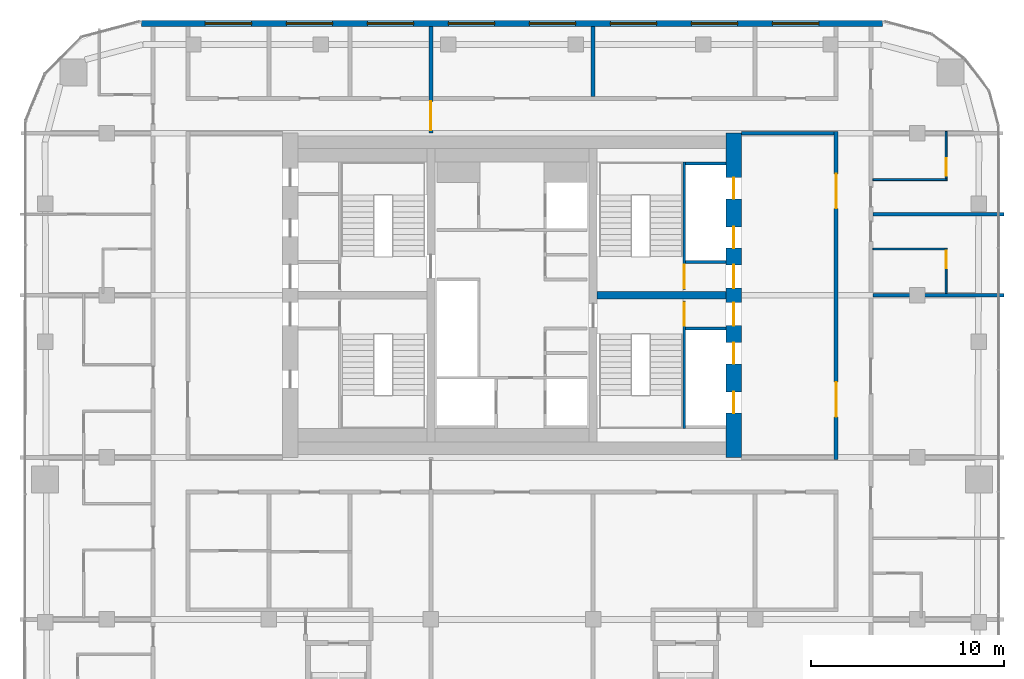
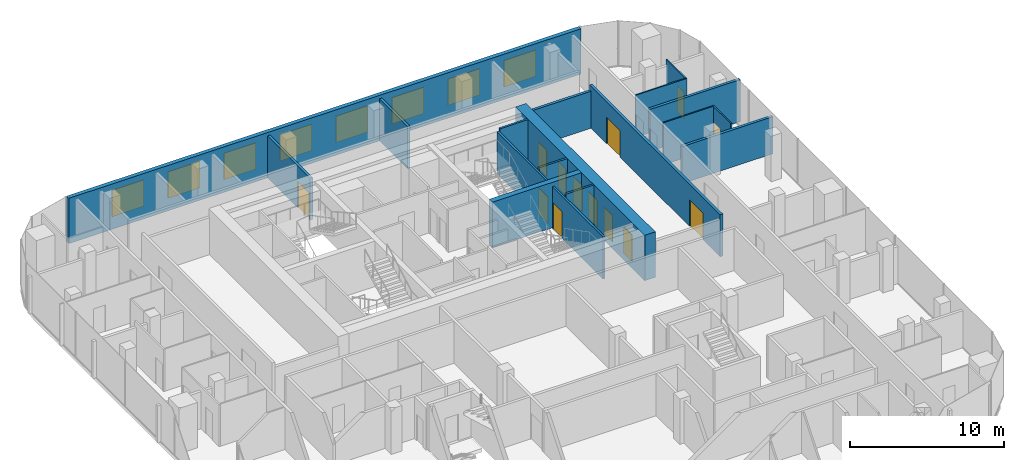
# One storey, part 19 of 21: 18 walls, 13 doors, 8 windows, 21 openings.
"""IFC4 building model written with IfcOpenShell, lengths in metres."""

from ifc_helpers import new_model, si_unit, direction, frame, frame_2d, origin, place, context, subcontext, project, spatial, rectangle, extrude, material, layer, layer_set, type_object, element, fill, save


model = new_model("IFC4")

# Units and contexts
model_context = context("Model", 3, precision=1e-05, world=origin(), true_north=direction((0.0, 1.0)))
body_context = subcontext(model_context, "Body", "Model", "MODEL_VIEW")
ifc_project = project(units=[si_unit("LENGTHUNIT", "METRE"), si_unit("AREAUNIT", "SQUARE_METRE"), si_unit("VOLUMEUNIT", "CUBIC_METRE"), si_unit("PLANEANGLEUNIT", "RADIAN"), si_unit("MASSUNIT", "GRAM", prefix="KILO")], contexts=[model_context])

# Site, building, storey
site_placement = place(None, origin())
site = spatial("IfcSite", under=ifc_project, at=site_placement, CompositionType="ELEMENT")
building_placement = place(site_placement, origin())
building = spatial("IfcBuilding", under=site, at=building_placement, Name="Marenta Gate Hotel Tower", CompositionType="ELEMENT")
storey_placement = place(building_placement, frame((0.0, 0.0, 202.10009765625)))
storey = spatial("IfcBuildingStorey", under=building, at=storey_placement, Name="L46", CompositionType="ELEMENT", Elevation=202.10009765625)

# Wall, openings, windows
ifc_material_1 = material(Name="Concrete C40 board-marked", Category="concrete")
ifc_layer_1 = layer(ifc_material_1, 0.300048828125)
ifc_layer_set_1 = layer_set([ifc_layer_1], Name="Concrete C40 board-marked")
wall_type_1 = type_object("IfcWallType", Name="Board-marked concrete wall 300 mm", PredefinedType="NOTDEFINED", material=ifc_layer_set_1)
wall_1_placement = place(storey_placement, frame((19.205810546875, 22.489990234375, 0.0), z_axis=(0.0, 0.0, 1.0), x_axis=(-1.0, 0.0, 0.0)))
wall_1 = element("IfcWall", 1, at=wall_1_placement, inside=storey, type_object=wall_type_1, Name="L46-CLD-N00", PredefinedType="NOTDEFINED", context=body_context, shape_type="SweptSolid", body=[
    extrude(rectangle(XDim=38.41162109375, YDim=0.300048828125, at=frame_2d((19.205810546875, 0.0))), origin(), (0.0, 0.0, 1.0), 3.599853515625),
])
opening_1_placement = place(wall_1_placement, frame((3.305908203125, 0.0, 0.89990234375)))
opening_1 = element("IfcOpeningElement", 2, at=opening_1_placement, cuts=wall_1, Name="Opening W1", PredefinedType="OPENING", context=body_context, shape_type="SweptSolid", body=[
    extrude(rectangle(XDim=2.39990234375, YDim=2.10009765625, at=frame_2d((1.199951171875, 1.050048828125))), frame((0.0, 0.14990234375, 0.0), z_axis=(0.0, -1.0, 0.0), x_axis=(1.0, 0.0, 0.0)), (0.0, 0.0, 1.0), 0.300048828125),
])
opening_2_placement = place(wall_1_placement, frame((7.505859375, 0.0, 0.89990234375)))
opening_2 = element("IfcOpeningElement", 3, at=opening_2_placement, cuts=wall_1, Name="Opening W1", PredefinedType="OPENING", context=body_context, shape_type="SweptSolid", body=[
    extrude(rectangle(XDim=2.39990234375, YDim=2.10009765625, at=frame_2d((1.199951171875, 1.050048828125))), frame((0.0, 0.14990234375, 0.0), z_axis=(0.0, -1.0, 0.0), x_axis=(1.0, 0.0, 0.0)), (0.0, 0.0, 1.0), 0.300048828125),
])
opening_3_placement = place(wall_1_placement, frame((11.705810546875, 0.0, 0.89990234375)))
opening_3 = element("IfcOpeningElement", 4, at=opening_3_placement, cuts=wall_1, Name="Opening W1", PredefinedType="OPENING", context=body_context, shape_type="SweptSolid", body=[
    extrude(rectangle(XDim=2.39990234375, YDim=2.10009765625, at=frame_2d((1.199951171875, 1.050048828125))), frame((0.0, 0.14990234375, 0.0), z_axis=(0.0, -1.0, 0.0), x_axis=(1.0, 0.0, 0.0)), (0.0, 0.0, 1.0), 0.300048828125),
])
opening_4_placement = place(wall_1_placement, frame((15.906005859375, 0.0, 0.89990234375)))
opening_4 = element("IfcOpeningElement", 5, at=opening_4_placement, cuts=wall_1, Name="Opening W1", PredefinedType="OPENING", context=body_context, shape_type="SweptSolid", body=[
    extrude(rectangle(XDim=2.39990234375, YDim=2.10009765625, at=frame_2d((1.199951171875, 1.050048828125))), frame((0.0, 0.14990234375, 0.0), z_axis=(0.0, -1.0, 0.0), x_axis=(1.0, 0.0, 0.0)), (0.0, 0.0, 1.0), 0.300048828125),
])
opening_5_placement = place(wall_1_placement, frame((20.10595703125, 0.0, 0.89990234375)))
opening_5 = element("IfcOpeningElement", 6, at=opening_5_placement, cuts=wall_1, Name="Opening W1", PredefinedType="OPENING", context=body_context, shape_type="SweptSolid", body=[
    extrude(rectangle(XDim=2.39990234375, YDim=2.10009765625, at=frame_2d((1.199951171875, 1.050048828125))), frame((0.0, 0.14990234375, 0.0), z_axis=(0.0, -1.0, 0.0), x_axis=(1.0, 0.0, 0.0)), (0.0, 0.0, 1.0), 0.300048828125),
])
opening_6_placement = place(wall_1_placement, frame((24.305908203125, 0.0, 0.89990234375)))
opening_6 = element("IfcOpeningElement", 7, at=opening_6_placement, cuts=wall_1, Name="Opening W1", PredefinedType="OPENING", context=body_context, shape_type="SweptSolid", body=[
    extrude(rectangle(XDim=2.39990234375, YDim=2.10009765625, at=frame_2d((1.199951171875, 1.050048828125))), frame((0.0, 0.14990234375, 0.0), z_axis=(0.0, -1.0, 0.0), x_axis=(1.0, 0.0, 0.0)), (0.0, 0.0, 1.0), 0.300048828125),
])
opening_7_placement = place(wall_1_placement, frame((28.505859375, 0.0, 0.89990234375)))
opening_7 = element("IfcOpeningElement", 8, at=opening_7_placement, cuts=wall_1, Name="Opening W1", PredefinedType="OPENING", context=body_context, shape_type="SweptSolid", body=[
    extrude(rectangle(XDim=2.39990234375, YDim=2.10009765625, at=frame_2d((1.199951171875, 1.050048828125))), frame((0.0, 0.14990234375, 0.0), z_axis=(0.0, -1.0, 0.0), x_axis=(1.0, 0.0, 0.0)), (0.0, 0.0, 1.0), 0.300048828125),
])
opening_8_placement = place(wall_1_placement, frame((32.705810546875, 0.0, 0.89990234375)))
opening_8 = element("IfcOpeningElement", 9, at=opening_8_placement, cuts=wall_1, Name="Opening W1", PredefinedType="OPENING", context=body_context, shape_type="SweptSolid", body=[
    extrude(rectangle(XDim=2.39990234375, YDim=2.10009765625, at=frame_2d((1.199951171875, 1.050048828125))), frame((0.0, 0.14990234375, 0.0), z_axis=(0.0, -1.0, 0.0), x_axis=(1.0, 0.0, 0.0)), (0.0, 0.0, 1.0), 0.300048828125),
])
ifc_material_2 = material(Name="Tinted insulated glass in bronze anodised frame", Category="glass")
window_type = type_object("IfcWindowType", Name="Window W1 2400x2100 bronze frame", PartitioningType="SINGLE_PANEL", PredefinedType="WINDOW", material=ifc_material_2)
window_1_placement = place(opening_1_placement, origin())
window_1 = element("IfcWindow", 10, at=window_1_placement, inside=storey, type_object=window_type, Name="Window W1", OverallHeight=2.10009765625, OverallWidth=2.39990234375, PartitioningType="SINGLE_PANEL", PredefinedType="WINDOW", context=body_context, shape_type="SweptSolid", body=[
    extrude(rectangle(XDim=2.39990234375, YDim=2.10009765625, at=frame_2d((1.199951171875, 1.050048828125))), frame((0.0, 0.030029296875, 0.0), z_axis=(0.0, -1.0, 0.0), x_axis=(1.0, 0.0, 0.0)), (0.0, 0.0, 1.0), 0.06005859375),
])
fill(opening_1, window_1)
window_2_placement = place(opening_2_placement, origin())
window_2 = element("IfcWindow", 11, at=window_2_placement, inside=storey, type_object=window_type, Name="Window W1", OverallHeight=2.10009765625, OverallWidth=2.39990234375, PartitioningType="SINGLE_PANEL", PredefinedType="WINDOW", context=body_context, shape_type="SweptSolid", body=[
    extrude(rectangle(XDim=2.39990234375, YDim=2.10009765625, at=frame_2d((1.199951171875, 1.050048828125))), frame((0.0, 0.030029296875, 0.0), z_axis=(0.0, -1.0, 0.0), x_axis=(1.0, 0.0, 0.0)), (0.0, 0.0, 1.0), 0.06005859375),
])
fill(opening_2, window_2)
window_3_placement = place(opening_3_placement, origin())
window_3 = element("IfcWindow", 12, at=window_3_placement, inside=storey, type_object=window_type, Name="Window W1", OverallHeight=2.10009765625, OverallWidth=2.39990234375, PartitioningType="SINGLE_PANEL", PredefinedType="WINDOW", context=body_context, shape_type="SweptSolid", body=[
    extrude(rectangle(XDim=2.39990234375, YDim=2.10009765625, at=frame_2d((1.199951171875, 1.050048828125))), frame((0.0, 0.030029296875, 0.0), z_axis=(0.0, -1.0, 0.0), x_axis=(1.0, 0.0, 0.0)), (0.0, 0.0, 1.0), 0.06005859375),
])
fill(opening_3, window_3)
window_4_placement = place(opening_4_placement, origin())
window_4 = element("IfcWindow", 13, at=window_4_placement, inside=storey, type_object=window_type, Name="Window W1", OverallHeight=2.10009765625, OverallWidth=2.39990234375, PartitioningType="SINGLE_PANEL", PredefinedType="WINDOW", context=body_context, shape_type="SweptSolid", body=[
    extrude(rectangle(XDim=2.39990234375, YDim=2.10009765625, at=frame_2d((1.199951171875, 1.050048828125))), frame((0.0, 0.030029296875, 0.0), z_axis=(0.0, -1.0, 0.0), x_axis=(1.0, 0.0, 0.0)), (0.0, 0.0, 1.0), 0.06005859375),
])
fill(opening_4, window_4)
window_5_placement = place(opening_5_placement, origin())
window_5 = element("IfcWindow", 14, at=window_5_placement, inside=storey, type_object=window_type, Name="Window W1", OverallHeight=2.10009765625, OverallWidth=2.39990234375, PartitioningType="SINGLE_PANEL", PredefinedType="WINDOW", context=body_context, shape_type="SweptSolid", body=[
    extrude(rectangle(XDim=2.39990234375, YDim=2.10009765625, at=frame_2d((1.199951171875, 1.050048828125))), frame((0.0, 0.030029296875, 0.0), z_axis=(0.0, -1.0, 0.0), x_axis=(1.0, 0.0, 0.0)), (0.0, 0.0, 1.0), 0.06005859375),
])
fill(opening_5, window_5)
window_6_placement = place(opening_6_placement, origin())
window_6 = element("IfcWindow", 15, at=window_6_placement, inside=storey, type_object=window_type, Name="Window W1", OverallHeight=2.10009765625, OverallWidth=2.39990234375, PartitioningType="SINGLE_PANEL", PredefinedType="WINDOW", context=body_context, shape_type="SweptSolid", body=[
    extrude(rectangle(XDim=2.39990234375, YDim=2.10009765625, at=frame_2d((1.199951171875, 1.050048828125))), frame((0.0, 0.030029296875, 0.0), z_axis=(0.0, -1.0, 0.0), x_axis=(1.0, 0.0, 0.0)), (0.0, 0.0, 1.0), 0.06005859375),
])
fill(opening_6, window_6)
window_7_placement = place(opening_7_placement, origin())
window_7 = element("IfcWindow", 16, at=window_7_placement, inside=storey, type_object=window_type, Name="Window W1", OverallHeight=2.10009765625, OverallWidth=2.39990234375, PartitioningType="SINGLE_PANEL", PredefinedType="WINDOW", context=body_context, shape_type="SweptSolid", body=[
    extrude(rectangle(XDim=2.39990234375, YDim=2.10009765625, at=frame_2d((1.199951171875, 1.050048828125))), frame((0.0, 0.030029296875, 0.0), z_axis=(0.0, -1.0, 0.0), x_axis=(1.0, 0.0, 0.0)), (0.0, 0.0, 1.0), 0.06005859375),
])
fill(opening_7, window_7)
window_8_placement = place(opening_8_placement, origin())
window_8 = element("IfcWindow", 17, at=window_8_placement, inside=storey, type_object=window_type, Name="Window W1", OverallHeight=2.10009765625, OverallWidth=2.39990234375, PartitioningType="SINGLE_PANEL", PredefinedType="WINDOW", context=body_context, shape_type="SweptSolid", body=[
    extrude(rectangle(XDim=2.39990234375, YDim=2.10009765625, at=frame_2d((1.199951171875, 1.050048828125))), frame((0.0, 0.030029296875, 0.0), z_axis=(0.0, -1.0, 0.0), x_axis=(1.0, 0.0, 0.0)), (0.0, 0.0, 1.0), 0.06005859375),
])
fill(opening_8, window_8)

# Wall, opening, door
ifc_material_3 = material(Name="Concrete blockwork", Category="masonry")
ifc_layer_2 = layer(ifc_material_3, 0.199951171875)
ifc_layer_set_2 = layer_set([ifc_layer_2], Name="Concrete blockwork")
wall_type_2 = type_object("IfcWallType", Name="Compartment wall 200 REI 180", PredefinedType="PARTITIONING", material=ifc_layer_set_2)
wall_2_placement = place(storey_placement, frame((-4.199951171875, 16.800048828125, 0.0), z_axis=(0.0, 0.0, 1.0), x_axis=(0.0, 1.0, 0.0)))
wall_2 = element("IfcWall", 18, at=wall_2_placement, inside=storey, type_object=wall_type_2, Name="L46-PTN-W072", PredefinedType="PARTITIONING", context=body_context, shape_type="SweptSolid", body=[
    extrude(rectangle(XDim=5.5400390625, YDim=0.199951171875, at=frame_2d((2.77001953125, 0.0))), origin(), (0.0, 0.0, 1.0), 3.33984375),
])
opening_9_placement = place(wall_2_placement, frame((0.14990234375, 0.0, 0.0)))
opening_9 = element("IfcOpeningElement", 19, at=opening_9_placement, cuts=wall_2, Name="Opening G16-FD1", PredefinedType="OPENING", context=body_context, shape_type="SweptSolid", body=[
    extrude(rectangle(XDim=1.5, YDim=2.10009765625, at=frame_2d((0.75, 1.050048828125))), frame((0.0, 0.10009765625, 0.0), z_axis=(0.0, -1.0, 0.0), x_axis=(1.0, 0.0, 0.0)), (0.0, 0.0, 1.0), 0.199951171875),
])
ifc_material_4 = material(Name="Hollow steel door set", Category="steel")
door_type_1 = type_object("IfcDoorType", Name="Compartment fire door 1500x2100 EI 60", OperationType="DOUBLE_DOOR_DOUBLE_SWING", PredefinedType="DOOR", material=ifc_material_4)
door_1_placement = place(opening_9_placement, origin())
door_1 = element("IfcDoor", 20, at=door_1_placement, inside=storey, type_object=door_type_1, Name="L46-PD-FD01", OperationType="DOUBLE_DOOR_DOUBLE_SWING", OverallHeight=2.10009765625, OverallWidth=1.5, PredefinedType="DOOR", context=body_context, shape_type="SweptSolid", body=[
    extrude(rectangle(XDim=1.5, YDim=2.10009765625, at=frame_2d((0.75, 1.050048828125))), frame((0.0, 0.02490234375, 0.0), z_axis=(0.0, -1.0, 0.0), x_axis=(1.0, 0.0, 0.0)), (0.0, 0.0, 1.0), 0.050048828125),
])
fill(opening_9, door_1)

# Wall, openings, doors
ifc_material_5 = material(Name="Concrete blockwork", Category="masonry")
ifc_layer_3 = layer(ifc_material_5, 0.199951171875)
ifc_layer_set_3 = layer_set([ifc_layer_3], Name="Concrete blockwork")
wall_type_3 = type_object("IfcWallType", Name="Core boundary wall 200 REI 180", PredefinedType="PARTITIONING", material=ifc_layer_set_3)
wall_3_placement = place(storey_placement, frame((16.800048828125, -0.10009765625, 0.0), z_axis=(0.0, 0.0, 1.0), x_axis=(0.0, 1.0, 0.0)))
wall_3 = element("IfcWall", 21, at=wall_3_placement, inside=storey, type_object=wall_type_3, Name="L46-CP-BW-E", PredefinedType="PARTITIONING", context=body_context, shape_type="SweptSolid", body=[
    extrude(rectangle(XDim=17.0, YDim=0.199951171875, at=frame_2d((8.5, 0.0))), origin(), (0.0, 0.0, 1.0), 3.33984375),
])
opening_10_placement = place(wall_3_placement, frame((2.199951171875, 0.0, 0.0)))
opening_10 = element("IfcOpeningElement", 22, at=opening_10_placement, cuts=wall_3, Name="Opening ED-Ea-B", PredefinedType="OPENING", context=body_context, shape_type="SweptSolid", body=[
    extrude(rectangle(XDim=1.800048828125, YDim=2.10009765625, at=frame_2d((0.89990234375, 1.050048828125))), frame((0.0, 0.10009765625, 0.0), z_axis=(0.0, -1.0, 0.0), x_axis=(1.0, 0.0, 0.0)), (0.0, 0.0, 1.0), 0.199951171875),
])
opening_11_placement = place(wall_3_placement, frame((13.0, 0.0, 0.0)))
opening_11 = element("IfcOpeningElement", 23, at=opening_11_placement, cuts=wall_3, Name="Opening ED-Eb-B", PredefinedType="OPENING", context=body_context, shape_type="SweptSolid", body=[
    extrude(rectangle(XDim=1.800048828125, YDim=2.10009765625, at=frame_2d((0.89990234375, 1.050048828125))), frame((0.0, 0.10009765625, 0.0), z_axis=(0.0, -1.0, 0.0), x_axis=(1.0, 0.0, 0.0)), (0.0, 0.0, 1.0), 0.199951171875),
])
ifc_material_6 = material(Name="Steel", Category="steel")
door_type_2 = type_object("IfcDoorType", Name="Core lobby entrance door 1800x2100 EI 60", OperationType="DOUBLE_DOOR_SINGLE_SWING", PredefinedType="DOOR", material=ifc_material_6)
door_2_placement = place(opening_10_placement, origin())
door_2 = element("IfcDoor", 24, at=door_2_placement, inside=storey, type_object=door_type_2, Name="ED-Ea-B", OperationType="DOUBLE_DOOR_SINGLE_SWING", OverallHeight=2.10009765625, OverallWidth=1.800048828125, PredefinedType="DOOR", context=body_context, shape_type="SweptSolid", body=[
    extrude(rectangle(XDim=1.800048828125, YDim=2.10009765625, at=frame_2d((0.89990234375, 1.050048828125))), frame((0.0, 0.02490234375, 0.0), z_axis=(0.0, -1.0, 0.0), x_axis=(1.0, 0.0, 0.0)), (0.0, 0.0, 1.0), 0.050048828125),
])
fill(opening_10, door_2)
door_3_placement = place(opening_11_placement, origin())
door_3 = element("IfcDoor", 25, at=door_3_placement, inside=storey, type_object=door_type_2, Name="ED-Eb-B", OperationType="DOUBLE_DOOR_SINGLE_SWING", OverallHeight=2.10009765625, OverallWidth=1.800048828125, PredefinedType="DOOR", context=body_context, shape_type="SweptSolid", body=[
    extrude(rectangle(XDim=1.800048828125, YDim=2.10009765625, at=frame_2d((0.89990234375, 1.050048828125))), frame((0.0, 0.02490234375, 0.0), z_axis=(0.0, -1.0, 0.0), x_axis=(1.0, 0.0, 0.0)), (0.0, 0.0, 1.0), 0.050048828125),
])
fill(opening_11, door_3)

# Walls
wall_4_placement = place(storey_placement, frame((11.89990234375, 16.800048828125, 0.0), z_axis=(0.0, 0.0, 1.0), x_axis=(1.0, 0.0, 0.0)))
element("IfcWall", 26, at=wall_4_placement, inside=storey, type_object=wall_type_3, Name="L46-CP-EW-EN", PredefinedType="PARTITIONING", context=body_context, shape_type="SweptSolid", body=[
    extrude(rectangle(XDim=4.800048828125, YDim=0.199951171875, at=frame_2d((2.39990234375, 0.0))), origin(), (0.0, 0.0, 1.0), 2.93994140625),
])
ifc_material_7 = material(Name="Concrete C40", Category="concrete")
ifc_layer_4 = layer(ifc_material_7, 0.14990234375)
ifc_layer_set_4 = layer_set([ifc_layer_4], Name="Concrete C40")
wall_type_4 = type_object("IfcWallType", Name="Core shaft wall 150 REI 180", PredefinedType="SHEAR", material=ifc_layer_set_4)
for number, where, z_axis, x_axis, name in (
    (27, (9.0, 6.675048828125, 0.0), (0.0, 0.0, 1.0), (1.0, 0.0, 0.0), "L46-SHF-SW-ES-2"),
    (28, (9.0, 10.125, 0.0), (0.0, 0.0, 1.0), (1.0, 0.0, 0.0), "L46-SHF-SW-EN-2"),
    (29, (9.0, 15.22509765625, 0.0), (0.0, 0.0, 1.0), (1.0, 0.0, 0.0), "L46-SHF-SW-EN-5"),
):
    element("IfcWall", number, at=place(storey_placement, frame(where, z_axis=z_axis, x_axis=x_axis)), inside=storey, type_object=wall_type_4, Name=name, PredefinedType="SHEAR", context=body_context, shape_type="SweptSolid", body=[
        extrude(rectangle(XDim=2.10009765625, YDim=0.14990234375, at=frame_2d((1.050048828125, 0.0))), origin(), (0.0, 0.0, 1.0), 3.599853515625),
    ])

# Wall, opening, door
ifc_material_8 = material(Name="Concrete C40", Category="concrete")
ifc_layer_5 = layer(ifc_material_8, 0.14990234375)
ifc_layer_set_5 = layer_set([ifc_layer_5], Name="Concrete C40")
wall_type_5 = type_object("IfcWallType", Name="Core stair enclosure wall 150 REI 180", PredefinedType="SHEAR", material=ifc_layer_set_5)
wall_5_placement = place(storey_placement, frame((8.925048828125, 1.5, 0.0), z_axis=(0.0, 0.0, 1.0), x_axis=(0.0, 1.0, 0.0)))
wall_5 = element("IfcWall", 30, at=wall_5_placement, inside=storey, type_object=wall_type_5, Name="L46-SHF-SW-ES-3", PredefinedType="SHEAR", context=body_context, shape_type="SweptSolid", body=[
    extrude(rectangle(XDim=6.60009765625, YDim=0.14990234375, at=frame_2d((3.300048828125, 0.0))), origin(), (0.0, 0.0, 1.0), 3.33984375),
])
opening_12_placement = place(wall_5_placement, frame((5.324951171875, 0.0, 0.0)))
opening_12 = element("IfcOpeningElement", 31, at=opening_12_placement, cuts=wall_5, Name="Opening SD-ES", PredefinedType="OPENING", context=body_context, shape_type="SweptSolid", body=[
    extrude(rectangle(XDim=1.199951171875, YDim=2.10009765625, at=frame_2d((0.60009765625, 1.050048828125))), frame((0.0, 0.074951171875, 0.0), z_axis=(0.0, -1.0, 0.0), x_axis=(1.0, 0.0, 0.0)), (0.0, 0.0, 1.0), 0.14990234375),
])
ifc_material_9 = material(Name="Steel", Category="steel")
door_type_3 = type_object("IfcDoorType", Name="Core stair door 1200x2100 FD60", OperationType="SINGLE_SWING_LEFT", PredefinedType="DOOR", material=ifc_material_9)
door_4_placement = place(opening_12_placement, origin())
door_4 = element("IfcDoor", 32, at=door_4_placement, inside=storey, type_object=door_type_3, Name="SD-ES", OperationType="SINGLE_SWING_LEFT", OverallHeight=2.10009765625, OverallWidth=1.199951171875, PredefinedType="DOOR", context=body_context, shape_type="SweptSolid", body=[
    extrude(rectangle(XDim=1.199951171875, YDim=2.10009765625, at=frame_2d((0.60009765625, 1.050048828125))), frame((0.0, 0.02490234375, 0.0), z_axis=(0.0, -1.0, 0.0), x_axis=(1.0, 0.0, 0.0)), (0.0, 0.0, 1.0), 0.050048828125),
])
fill(opening_12, door_4)

wall_6_placement = place(storey_placement, frame((8.925048828125, 8.699951171875, 0.0), z_axis=(0.0, 0.0, 1.0), x_axis=(0.0, 1.0, 0.0)))
wall_6 = element("IfcWall", 33, at=wall_6_placement, inside=storey, type_object=wall_type_5, Name="L46-SHF-SW-EN-3", PredefinedType="SHEAR", context=body_context, shape_type="SweptSolid", body=[
    extrude(rectangle(XDim=6.60009765625, YDim=0.14990234375, at=frame_2d((3.300048828125, 0.0))), origin(), (0.0, 0.0, 1.0), 3.33984375),
])
opening_13_placement = place(wall_6_placement, frame((0.074951171875, 0.0, 0.0)))
opening_13 = element("IfcOpeningElement", 34, at=opening_13_placement, cuts=wall_6, Name="Opening SD-EN", PredefinedType="OPENING", context=body_context, shape_type="SweptSolid", body=[
    extrude(rectangle(XDim=1.199951171875, YDim=2.10009765625, at=frame_2d((0.60009765625, 1.050048828125))), frame((0.0, 0.074951171875, 0.0), z_axis=(0.0, -1.0, 0.0), x_axis=(1.0, 0.0, 0.0)), (0.0, 0.0, 1.0), 0.14990234375),
])
door_5_placement = place(opening_13_placement, origin())
door_5 = element("IfcDoor", 35, at=door_5_placement, inside=storey, type_object=door_type_3, Name="SD-EN", OperationType="SINGLE_SWING_LEFT", OverallHeight=2.10009765625, OverallWidth=1.199951171875, PredefinedType="DOOR", context=body_context, shape_type="SweptSolid", body=[
    extrude(rectangle(XDim=1.199951171875, YDim=2.10009765625, at=frame_2d((0.60009765625, 1.050048828125))), frame((0.0, 0.02490234375, 0.0), z_axis=(0.0, -1.0, 0.0), x_axis=(1.0, 0.0, 0.0)), (0.0, 0.0, 1.0), 0.050048828125),
])
fill(opening_13, door_5)

# Wall, openings, doors
ifc_material_10 = material(Name="Concrete C60", Category="concrete")
ifc_layer_6 = layer(ifc_material_10, 0.800048828125)
ifc_layer_set_6 = layer_set([ifc_layer_6], Name="Concrete C60")
wall_type_6 = type_object("IfcWallType", Name="Core wall 800 C60", PredefinedType="SHEAR", material=ifc_layer_set_6)
wall_7_placement = place(storey_placement, frame((11.5, 0.0, 0.0), z_axis=(0.0, 0.0, 1.0), x_axis=(0.0, 1.0, 0.0)))
wall_7 = element("IfcWall", 36, at=wall_7_placement, inside=storey, type_object=wall_type_6, Name="L46-CORE-E", PredefinedType="SHEAR", context=body_context, shape_type="SweptSolid", body=[
    extrude(rectangle(XDim=16.800048828125, YDim=0.800048828125, at=frame_2d((8.39990234375, 0.0))), origin(), (0.0, 0.0, 1.0), 3.599853515625),
])
opening_14_placement = place(wall_7_placement, frame((2.300048828125, 0.0, 0.0)))
opening_14 = element("IfcOpeningElement", 37, at=opening_14_placement, cuts=wall_7, Name="Opening LD-HR1", PredefinedType="OPENING", context=body_context, shape_type="SweptSolid", body=[
    extrude(rectangle(XDim=1.10009765625, YDim=2.10009765625, at=frame_2d((0.550048828125, 1.050048828125))), frame((0.0, 0.39990234375, 0.0), z_axis=(0.0, -1.0, 0.0), x_axis=(1.0, 0.0, 0.0)), (0.0, 0.0, 1.0), 0.800048828125),
])
opening_15_placement = place(wall_7_placement, frame((4.85009765625, 0.0, 0.0)))
opening_15 = element("IfcOpeningElement", 38, at=opening_15_placement, cuts=wall_7, Name="Opening LD-HR2", PredefinedType="OPENING", context=body_context, shape_type="SweptSolid", body=[
    extrude(rectangle(XDim=1.10009765625, YDim=2.10009765625, at=frame_2d((0.550048828125, 1.050048828125))), frame((0.0, 0.39990234375, 0.0), z_axis=(0.0, -1.0, 0.0), x_axis=(1.0, 0.0, 0.0)), (0.0, 0.0, 1.0), 0.800048828125),
])
opening_16_placement = place(wall_7_placement, frame((6.824951171875, 0.0, 0.0)))
opening_16 = element("IfcOpeningElement", 39, at=opening_16_placement, cuts=wall_7, Name="Opening PD-ES", PredefinedType="OPENING", context=body_context, shape_type="SweptSolid", body=[
    extrude(rectangle(XDim=1.199951171875, YDim=2.10009765625, at=frame_2d((0.60009765625, 1.050048828125))), frame((0.0, 0.39990234375, 0.0), z_axis=(0.0, -1.0, 0.0), x_axis=(1.0, 0.0, 0.0)), (0.0, 0.0, 1.0), 0.800048828125),
])
opening_17_placement = place(wall_7_placement, frame((13.39990234375, 0.0, 0.0)))
opening_17 = element("IfcOpeningElement", 40, at=opening_17_placement, cuts=wall_7, Name="Opening LD-HR4", PredefinedType="OPENING", context=body_context, shape_type="SweptSolid", body=[
    extrude(rectangle(XDim=1.10009765625, YDim=2.10009765625, at=frame_2d((0.550048828125, 1.050048828125))), frame((0.0, 0.39990234375, 0.0), z_axis=(0.0, -1.0, 0.0), x_axis=(1.0, 0.0, 0.0)), (0.0, 0.0, 1.0), 0.800048828125),
])
opening_18_placement = place(wall_7_placement, frame((10.85009765625, 0.0, 0.0)))
opening_18 = element("IfcOpeningElement", 41, at=opening_18_placement, cuts=wall_7, Name="Opening LD-HR3", PredefinedType="OPENING", context=body_context, shape_type="SweptSolid", body=[
    extrude(rectangle(XDim=1.10009765625, YDim=2.10009765625, at=frame_2d((0.550048828125, 1.050048828125))), frame((0.0, 0.39990234375, 0.0), z_axis=(0.0, -1.0, 0.0), x_axis=(1.0, 0.0, 0.0)), (0.0, 0.0, 1.0), 0.800048828125),
])
opening_19_placement = place(wall_7_placement, frame((8.77490234375, 0.0, 0.0)))
opening_19 = element("IfcOpeningElement", 42, at=opening_19_placement, cuts=wall_7, Name="Opening PD-EN", PredefinedType="OPENING", context=body_context, shape_type="SweptSolid", body=[
    extrude(rectangle(XDim=1.199951171875, YDim=2.10009765625, at=frame_2d((0.60009765625, 1.050048828125))), frame((0.0, 0.39990234375, 0.0), z_axis=(0.0, -1.0, 0.0), x_axis=(1.0, 0.0, 0.0)), (0.0, 0.0, 1.0), 0.800048828125),
])
ifc_material_11 = material(Name="Steel", Category="steel")
door_type_4 = type_object("IfcDoorType", Name="Core lift landing door 1100x2100 E 60", OperationType="SLIDING_TO_LEFT", PredefinedType="DOOR", material=ifc_material_11)
door_6_placement = place(opening_14_placement, origin())
door_6 = element("IfcDoor", 43, at=door_6_placement, inside=storey, type_object=door_type_4, Name="LD-HR1", OperationType="SLIDING_TO_LEFT", OverallHeight=2.10009765625, OverallWidth=1.10009765625, PredefinedType="DOOR", context=body_context, shape_type="SweptSolid", body=[
    extrude(rectangle(XDim=1.10009765625, YDim=2.10009765625, at=frame_2d((0.550048828125, 1.050048828125))), frame((0.0, 0.02490234375, 0.0), z_axis=(0.0, -1.0, 0.0), x_axis=(1.0, 0.0, 0.0)), (0.0, 0.0, 1.0), 0.050048828125),
])
fill(opening_14, door_6)
door_7_placement = place(opening_15_placement, origin())
door_7 = element("IfcDoor", 44, at=door_7_placement, inside=storey, type_object=door_type_4, Name="LD-HR2", OperationType="SLIDING_TO_LEFT", OverallHeight=2.10009765625, OverallWidth=1.10009765625, PredefinedType="DOOR", context=body_context, shape_type="SweptSolid", body=[
    extrude(rectangle(XDim=1.10009765625, YDim=2.10009765625, at=frame_2d((0.550048828125, 1.050048828125))), frame((0.0, 0.02490234375, 0.0), z_axis=(0.0, -1.0, 0.0), x_axis=(1.0, 0.0, 0.0)), (0.0, 0.0, 1.0), 0.050048828125),
])
fill(opening_15, door_7)
door_8_placement = place(opening_17_placement, origin())
door_8 = element("IfcDoor", 45, at=door_8_placement, inside=storey, type_object=door_type_4, Name="LD-HR4", OperationType="SLIDING_TO_LEFT", OverallHeight=2.10009765625, OverallWidth=1.10009765625, PredefinedType="DOOR", context=body_context, shape_type="SweptSolid", body=[
    extrude(rectangle(XDim=1.10009765625, YDim=2.10009765625, at=frame_2d((0.550048828125, 1.050048828125))), frame((0.0, 0.02490234375, 0.0), z_axis=(0.0, -1.0, 0.0), x_axis=(1.0, 0.0, 0.0)), (0.0, 0.0, 1.0), 0.050048828125),
])
fill(opening_17, door_8)
door_9_placement = place(opening_18_placement, origin())
door_9 = element("IfcDoor", 46, at=door_9_placement, inside=storey, type_object=door_type_4, Name="LD-HR3", OperationType="SLIDING_TO_LEFT", OverallHeight=2.10009765625, OverallWidth=1.10009765625, PredefinedType="DOOR", context=body_context, shape_type="SweptSolid", body=[
    extrude(rectangle(XDim=1.10009765625, YDim=2.10009765625, at=frame_2d((0.550048828125, 1.050048828125))), frame((0.0, 0.02490234375, 0.0), z_axis=(0.0, -1.0, 0.0), x_axis=(1.0, 0.0, 0.0)), (0.0, 0.0, 1.0), 0.050048828125),
])
fill(opening_18, door_9)
ifc_material_12 = material(Name="Steel", Category="steel")
door_type_5 = type_object("IfcDoorType", Name="Core lobby door 1200x2100 FD60", OperationType="SINGLE_SWING_LEFT", PredefinedType="DOOR", material=ifc_material_12)
door_10_placement = place(opening_16_placement, origin())
door_10 = element("IfcDoor", 47, at=door_10_placement, inside=storey, type_object=door_type_5, Name="PD-ES", OperationType="SINGLE_SWING_LEFT", OverallHeight=2.10009765625, OverallWidth=1.199951171875, PredefinedType="DOOR", context=body_context, shape_type="SweptSolid", body=[
    extrude(rectangle(XDim=1.199951171875, YDim=2.10009765625, at=frame_2d((0.60009765625, 1.050048828125))), frame((0.0, 0.02490234375, 0.0), z_axis=(0.0, -1.0, 0.0), x_axis=(1.0, 0.0, 0.0)), (0.0, 0.0, 1.0), 0.050048828125),
])
fill(opening_16, door_10)
door_11_placement = place(opening_19_placement, origin())
door_11 = element("IfcDoor", 48, at=door_11_placement, inside=storey, type_object=door_type_5, Name="PD-EN", OperationType="SINGLE_SWING_LEFT", OverallHeight=2.10009765625, OverallWidth=1.199951171875, PredefinedType="DOOR", context=body_context, shape_type="SweptSolid", body=[
    extrude(rectangle(XDim=1.199951171875, YDim=2.10009765625, at=frame_2d((0.60009765625, 1.050048828125))), frame((0.0, 0.02490234375, 0.0), z_axis=(0.0, -1.0, 0.0), x_axis=(1.0, 0.0, 0.0)), (0.0, 0.0, 1.0), 0.050048828125),
])
fill(opening_19, door_11)

# Wall
ifc_material_13 = material(Name="Concrete C60", Category="concrete")
ifc_layer_7 = layer(ifc_material_13, 0.39990234375)
ifc_layer_set_7 = layer_set([ifc_layer_7], Name="Concrete C60")
wall_type_7 = type_object("IfcWallType", Name="Core web 400 C60", PredefinedType="SHEAR", material=ifc_layer_set_7)
wall_8_placement = place(storey_placement, frame((4.39990234375, 8.39990234375, 0.0), z_axis=(0.0, 0.0, 1.0), x_axis=(1.0, 0.0, 0.0)))
element("IfcWall", 49, at=wall_8_placement, inside=storey, type_object=wall_type_7, Name="L46-CORE-W4", PredefinedType="SHEAR", context=body_context, shape_type="SweptSolid", body=[
    extrude(rectangle(XDim=6.7001953125, YDim=0.39990234375, at=frame_2d((3.35009765625, 0.0))), origin(), (0.0, 0.0, 1.0), 3.599853515625),
])

# Wall, opening, door
ifc_material_14 = material(Name="Gypsum board on steel stud", Category="steel")
ifc_layer_8 = layer(ifc_material_14, 0.10009765625)
ifc_layer_set_8 = layer_set([ifc_layer_8], Name="Gypsum board on steel stud")
wall_type_8 = type_object("IfcWallType", Name="Room partition 100", PredefinedType="PARTITIONING", material=ifc_layer_set_8)
wall_9_placement = place(storey_placement, frame((22.5, 8.5, 0.0), z_axis=(0.0, 0.0, 1.0), x_axis=(0.0, 1.0, 0.0)))
wall_9 = element("IfcWall", 50, at=wall_9_placement, inside=storey, type_object=wall_type_8, Name="L46-PTN-W009", PredefinedType="PARTITIONING", context=body_context, shape_type="SweptSolid", body=[
    extrude(rectangle(XDim=2.35009765625, YDim=0.10009765625, at=frame_2d((1.175048828125, 0.0))), origin(), (0.0, 0.0, 1.0), 3.33984375),
])
opening_20_placement = place(wall_9_placement, frame((1.300048828125, 0.0, 0.0)))
opening_20 = element("IfcOpeningElement", 51, at=opening_20_placement, cuts=wall_9, Name="Opening G16-25", PredefinedType="OPENING", context=body_context, shape_type="SweptSolid", body=[
    extrude(rectangle(XDim=0.89990234375, YDim=2.10009765625, at=frame_2d((0.449951171875, 1.050048828125))), frame((0.0, 0.050048828125, 0.0), z_axis=(0.0, -1.0, 0.0), x_axis=(1.0, 0.0, 0.0)), (0.0, 0.0, 1.0), 0.10009765625),
])
ifc_material_15 = material(Name="Timber door leaf", Category="wood")
door_type_6 = type_object("IfcDoorType", Name="Guest bathroom door 900x2100", OperationType="NOTDEFINED", PredefinedType="DOOR", material=ifc_material_15)
door_12_placement = place(opening_20_placement, origin())
door_12 = element("IfcDoor", 52, at=door_12_placement, inside=storey, type_object=door_type_6, Name="L46-PD-D025", OperationType="SINGLE_SWING_RIGHT", OverallHeight=2.10009765625, OverallWidth=0.89990234375, PredefinedType="DOOR", context=body_context, shape_type="SweptSolid", body=[
    extrude(rectangle(XDim=0.89990234375, YDim=2.10009765625, at=frame_2d((0.449951171875, 1.050048828125))), frame((0.0, 0.02490234375, 0.0), z_axis=(0.0, -1.0, 0.0), x_axis=(1.0, 0.0, 0.0)), (0.0, 0.0, 1.0), 0.050048828125),
])
fill(opening_20, door_12)

wall_10_placement = place(storey_placement, frame((22.5, 14.449951171875, 0.0), z_axis=(0.0, 0.0, 1.0), x_axis=(0.0, 1.0, 0.0)))
wall_10 = element("IfcWall", 53, at=wall_10_placement, inside=storey, type_object=wall_type_8, Name="L46-PTN-W010", PredefinedType="PARTITIONING", context=body_context, shape_type="SweptSolid", body=[
    extrude(rectangle(XDim=2.449951171875, YDim=0.10009765625, at=frame_2d((1.22509765625, 0.0))), origin(), (0.0, 0.0, 1.0), 3.33984375),
])
opening_21_placement = place(wall_10_placement, frame((0.14990234375, 0.0, 0.0)))
opening_21 = element("IfcOpeningElement", 54, at=opening_21_placement, cuts=wall_10, Name="Opening G16-27", PredefinedType="OPENING", context=body_context, shape_type="SweptSolid", body=[
    extrude(rectangle(XDim=0.89990234375, YDim=2.10009765625, at=frame_2d((0.449951171875, 1.050048828125))), frame((0.0, 0.050048828125, 0.0), z_axis=(0.0, -1.0, 0.0), x_axis=(1.0, 0.0, 0.0)), (0.0, 0.0, 1.0), 0.10009765625),
])
door_13_placement = place(opening_21_placement, origin())
door_13 = element("IfcDoor", 55, at=door_13_placement, inside=storey, type_object=door_type_6, Name="L46-PD-D027", OperationType="SINGLE_SWING_LEFT", OverallHeight=2.10009765625, OverallWidth=0.89990234375, PredefinedType="DOOR", context=body_context, shape_type="SweptSolid", body=[
    extrude(rectangle(XDim=0.89990234375, YDim=2.10009765625, at=frame_2d((0.449951171875, 1.050048828125))), frame((0.0, 0.02490234375, 0.0), z_axis=(0.0, -1.0, 0.0), x_axis=(1.0, 0.0, 0.0)), (0.0, 0.0, 1.0), 0.050048828125),
])
fill(opening_21, door_13)

# Walls
wall_11_placement = place(storey_placement, frame((18.699951171875, 10.800048828125, 0.0), z_axis=(0.0, 0.0, 1.0), x_axis=(1.0, 0.0, 0.0)))
element("IfcWall", 56, at=wall_11_placement, inside=storey, type_object=wall_type_8, Name="L46-PTN-W084", PredefinedType="PARTITIONING", context=body_context, shape_type="SweptSolid", body=[
    extrude(rectangle(XDim=3.75, YDim=0.10009765625, at=frame_2d((1.875, 0.0))), origin(), (0.0, 0.0, 1.0), 3.33984375),
])
wall_12_placement = place(storey_placement, frame((18.699951171875, 14.39990234375, 0.0), z_axis=(0.0, 0.0, 1.0), x_axis=(1.0, 0.0, 0.0)))
element("IfcWall", 57, at=wall_12_placement, inside=storey, type_object=wall_type_8, Name="L46-PTN-W091", PredefinedType="PARTITIONING", context=body_context, shape_type="SweptSolid", body=[
    extrude(rectangle(XDim=3.85009765625, YDim=0.10009765625, at=frame_2d((1.925048828125, 0.0))), origin(), (0.0, 0.0, 1.0), 3.33984375),
])
ifc_material_16 = material(Name="Gypsum board on steel stud", Category="steel")
ifc_layer_9 = layer(ifc_material_16, 0.199951171875)
ifc_layer_set_9 = layer_set([ifc_layer_9], Name="Gypsum board on steel stud")
wall_type_9 = type_object("IfcWallType", Name="Room party wall 200 EI 60", PredefinedType="PARTITIONING", material=ifc_layer_set_9)
wall_13_placement = place(storey_placement, frame((4.199951171875, 18.699951171875, 0.0), z_axis=(0.0, 0.0, 1.0), x_axis=(0.0, 1.0, 0.0)))
element("IfcWall", 58, at=wall_13_placement, inside=storey, type_object=wall_type_9, Name="L46-PTN-W061", PredefinedType="PARTITIONING", context=body_context, shape_type="SweptSolid", body=[
    extrude(rectangle(XDim=3.64013671875, YDim=0.199951171875, at=frame_2d((1.820068359375, 0.0))), origin(), (0.0, 0.0, 1.0), 3.33984375),
])
wall_14_placement = place(storey_placement, frame((18.699951171875, 8.39990234375, 0.0), z_axis=(0.0, 0.0, 1.0), x_axis=(1.0, 0.0, 0.0)))
element("IfcWall", 59, at=wall_14_placement, inside=storey, type_object=wall_type_9, Name="L46-PTN-W080", PredefinedType="PARTITIONING", context=body_context, shape_type="SweptSolid", body=[
    extrude(rectangle(XDim=6.800048828125, YDim=0.199951171875, at=frame_2d((3.39990234375, 0.0))), origin(), (0.0, 0.0, 1.0), 2.93994140625),
])
wall_15_placement = place(storey_placement, frame((18.699951171875, 12.60009765625, 0.0), z_axis=(0.0, 0.0, 1.0), x_axis=(1.0, 0.0, 0.0)))
element("IfcWall", 60, at=wall_15_placement, inside=storey, type_object=wall_type_9, Name="L46-PTN-W090", PredefinedType="PARTITIONING", context=body_context, shape_type="SweptSolid", body=[
    extrude(rectangle(XDim=6.800048828125, YDim=0.199951171875, at=frame_2d((3.39990234375, 0.0))), origin(), (0.0, 0.0, 1.0), 3.33984375),
])

save(model, "model.ifc")
